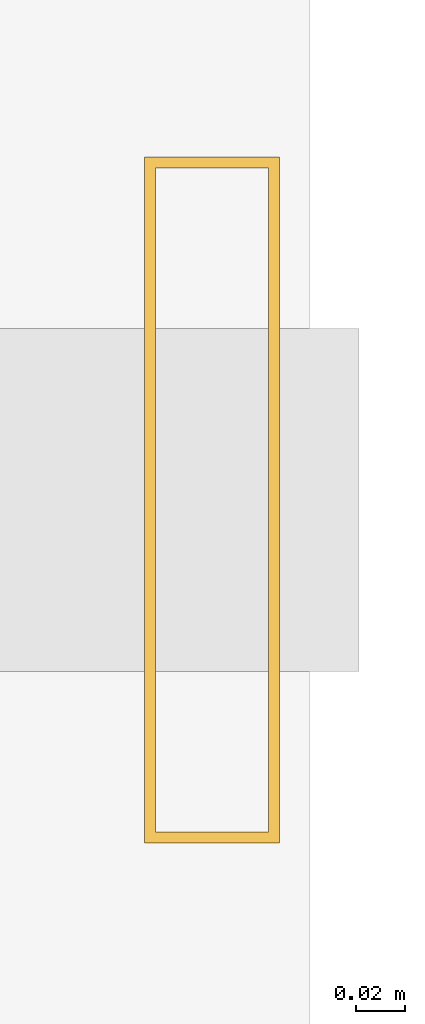
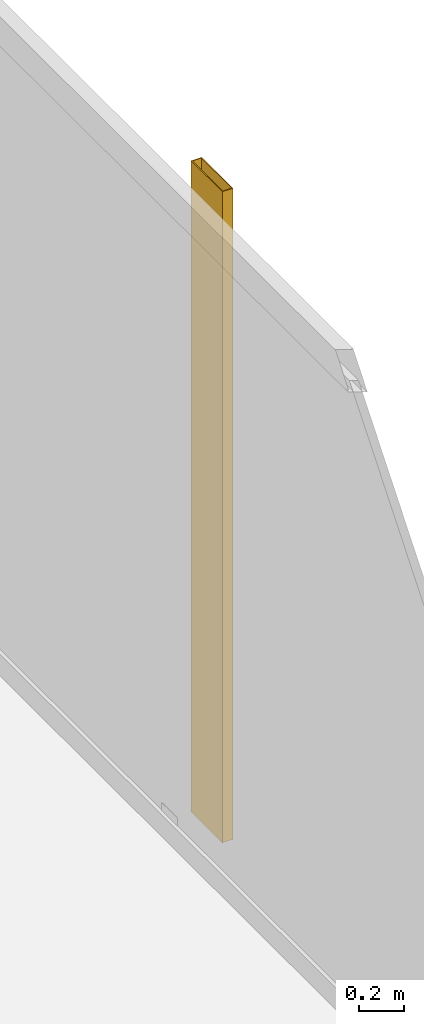
# One storey, part 25 of 25: 1 shading device.
"""IFC4 building model written with IfcOpenShell, lengths in metres."""

from ifc_helpers import new_model, si_unit, direction, frame, origin, origin_2d, place, context, subcontext, project, spatial, hollow_rectangle, extrude, material, material_profile, profile_set, type_object, element, save


model = new_model("IFC4")

# Units and contexts
model_context = context("Model", 3, precision=1e-05, world=origin(), true_north=direction((0.0, 1.0)))
body_context = subcontext(model_context, "Body", "Model", "MODEL_VIEW")
ifc_project = project(units=[si_unit("LENGTHUNIT", "METRE"), si_unit("AREAUNIT", "SQUARE_METRE"), si_unit("VOLUMEUNIT", "CUBIC_METRE"), si_unit("PLANEANGLEUNIT", "RADIAN"), si_unit("MASSUNIT", "GRAM", prefix="KILO")], contexts=[model_context])

# Site, building, storey
site_placement = place(None, origin())
site = spatial("IfcSite", under=ifc_project, at=site_placement, CompositionType="ELEMENT")
building_placement = place(site_placement, origin())
building = spatial("IfcBuilding", under=site, at=building_placement, Name="Kolvaren Waterfront Exchange", CompositionType="ELEMENT")
storey_placement = place(building_placement, frame((0.0, 0.0, 223.5)))
storey = spatial("IfcBuildingStorey", under=building, at=storey_placement, Name="L57", CompositionType="ELEMENT", Elevation=223.5)

# Shading device
ifc_material = material(Name="Anodised bronze aluminium 6063-T6", Category="aluminium")
ifc_material_profile = material_profile(ifc_material, hollow_rectangle(XDim=0.054931640625, YDim=0.280029296875, WallThickness=0.00439453125, at=origin_2d()), Name="BRZ-FIN-280x55x4.5")
ifc_profile_set = profile_set([ifc_material_profile], Name="Anodised bronze aluminium 6063-T6")
shading_device_type = type_object("IfcShadingDeviceType", Name="ARC-FIN-280", PredefinedType="USERDEFINED", material=ifc_profile_set)
shading_device_placement = place(storey_placement, frame((21.360107421875, 38.0, 0.0), z_axis=(0.0, 0.0, 1.0), x_axis=(1.0, 0.0, 0.0)))
element("IfcShadingDevice", 1, at=shading_device_placement, inside=storey, type_object=shading_device_type, Name="L57 anodised bronze solar shading fin FIN-L57-E3", ObjectType="SOLAR FIN", PredefinedType="USERDEFINED", context=body_context, shape_type="SweptSolid", body=[
    extrude(hollow_rectangle(XDim=0.054931640625, YDim=0.280029296875, WallThickness=0.00439453125, at=origin_2d()), origin(), (0.0, 0.0, 1.0), 3.56005859375),
])

save(model, "model.ifc")
